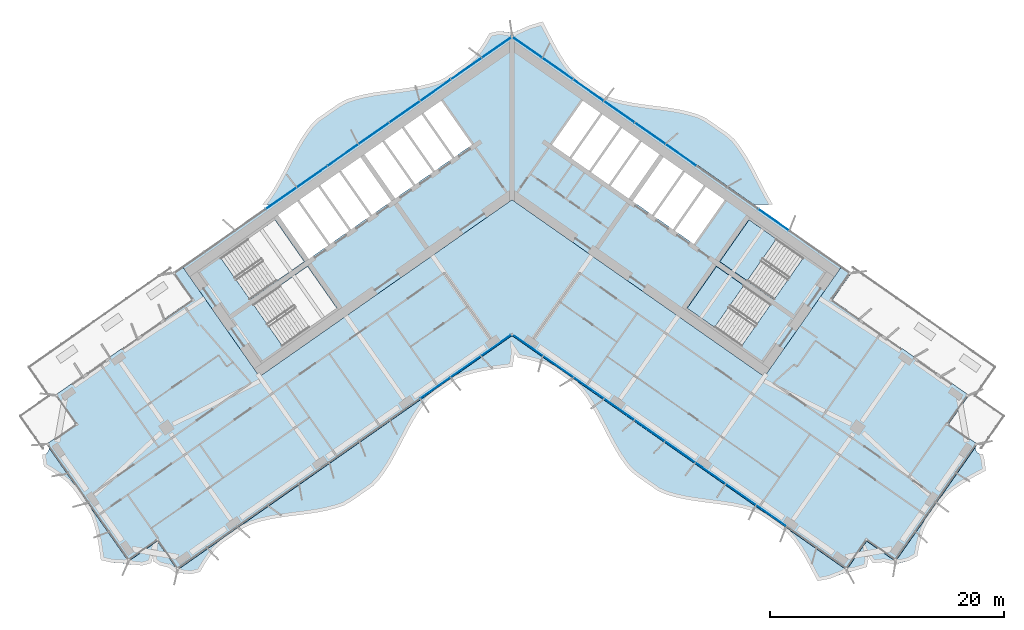
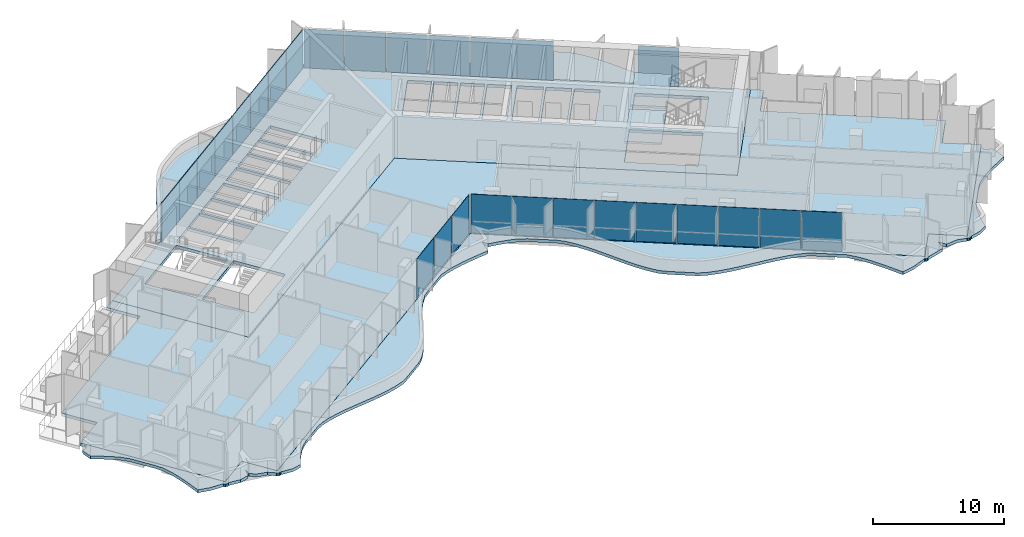
# One storey, part 11 of 24: 27 plates, 6 slabs, 4 elements without a shape of their own.
"""IFC4 building model written with IfcOpenShell, lengths in metres."""

from ifc_helpers import new_model, si_unit, direction, frame, origin, origin_2d, place, context, subcontext, project, spatial, polyline, rectangle, outline, extrude, material, layer, layer_set, type_object, element, aggregate, save


model = new_model("IFC4")

# Units and contexts
model_context = context("Model", 3, precision=1e-05, world=origin(), true_north=direction((0.0, 1.0)))
body_context = subcontext(model_context, "Body", "Model", "MODEL_VIEW")
ifc_project = project(units=[si_unit("LENGTHUNIT", "METRE"), si_unit("AREAUNIT", "SQUARE_METRE"), si_unit("VOLUMEUNIT", "CUBIC_METRE"), si_unit("PLANEANGLEUNIT", "RADIAN"), si_unit("MASSUNIT", "GRAM", prefix="KILO")], contexts=[model_context])

# Site, building, storey
site_placement = place(None, origin())
site = spatial("IfcSite", under=ifc_project, at=site_placement, CompositionType="ELEMENT")
building_placement = place(site_placement, origin())
building = spatial("IfcBuilding", under=site, at=building_placement, Name="Tel Ilan Convention Tower", CompositionType="ELEMENT")
storey_placement = place(building_placement, frame((0.0, 0.0, 132.0)))
storey = spatial("IfcBuildingStorey", under=building, at=storey_placement, Name="L29", CompositionType="ELEMENT", Elevation=132.0)

# Curtain wall, plates
ifc_material_1 = material(Name="Aluminium, bronze anodised", Category="aluminium")
curtain_wall_type_1 = type_object("IfcCurtainWallType", Name="CW4 STICK CURTAIN WALL, OFFICE TINTED GLASS", PredefinedType="NOTDEFINED", material=ifc_material_1)
curtain_wall_1_placement = place(storey_placement, origin())
curtain_wall_1 = element("IfcCurtainWall", 1, at=curtain_wall_1_placement, inside=storey, type_object=curtain_wall_type_1, Name="Curtain wall CW4-23.10", PredefinedType="NOTDEFINED")
ifc_material_2 = material(Name="Glass, bronze tinted, two-ply", Category="glass")
ifc_layer_1 = layer(ifc_material_2, 0.028076171875)
ifc_layer_set_1 = layer_set([ifc_layer_1], Name="CW GLASS PANEL 28")
plate_type_1 = type_object("IfcPlateType", Name="CW GLASS PANEL 28", PredefinedType="CURTAIN_PANEL", material=ifc_layer_set_1)
plate_1_placement = place(storey_placement, frame((-6.544921875, -17.27880859375, 0.0), z_axis=(0.0, 0.0, 1.0), x_axis=(0.819152044289, 0.573576436351, 0.0)))
plate_1 = element("IfcPlate", 2, at=plate_1_placement, type_object=plate_type_1, Name="Glass panel", PredefinedType="CURTAIN_PANEL", context=body_context, shape_type="SweptSolid", body=[
    extrude(rectangle(XDim=3.10791015625, YDim=0.028076171875, at=origin_2d()), origin(), (0.0, 0.0, 1.0), 3.6201171875),
])
plate_2_placement = place(storey_placement, frame((-3.949951171875, -15.4619140625, 0.0), z_axis=(0.0, 0.0, 1.0), x_axis=(0.819152044289, 0.573576436351, 0.0)))
plate_2 = element("IfcPlate", 3, at=plate_2_placement, type_object=plate_type_1, Name="Glass panel", PredefinedType="CURTAIN_PANEL", context=body_context, shape_type="SweptSolid", body=[
    extrude(rectangle(XDim=3.10791015625, YDim=0.028076171875, at=origin_2d()), origin(), (0.0, 0.0, 1.0), 3.6201171875),
])
plate_3_placement = place(storey_placement, frame((-1.355224609375, -13.64501953125, 0.0), z_axis=(0.0, 0.0, 1.0), x_axis=(0.819152044289, 0.573576436351, 0.0)))
plate_3 = element("IfcPlate", 4, at=plate_3_placement, type_object=plate_type_1, Name="Glass panel", PredefinedType="CURTAIN_PANEL", context=body_context, shape_type="SweptSolid", body=[
    extrude(rectangle(XDim=3.10693359375, YDim=0.028076171875, at=origin_2d()), origin(), (0.0, 0.0, 1.0), 3.6201171875),
])
plate_4_placement = place(storey_placement, frame((1.366943359375, -13.653076171875, 0.0), z_axis=(0.0, 0.0, 1.0), x_axis=(0.819152044289, -0.573576436351, 0.0)))
plate_4 = element("IfcPlate", 5, at=plate_4_placement, type_object=plate_type_1, Name="Glass panel", PredefinedType="CURTAIN_PANEL", context=body_context, shape_type="SweptSolid", body=[
    extrude(rectangle(XDim=3.078857421875, YDim=0.028076171875, at=origin_2d()), origin(), (0.0, 0.0, 1.0), 3.6201171875),
])
plate_5_placement = place(storey_placement, frame((3.949951171875, -15.4619140625, 0.0), z_axis=(0.0, 0.0, 1.0), x_axis=(0.819152044289, -0.573576436351, 0.0)))
plate_5 = element("IfcPlate", 6, at=plate_5_placement, type_object=plate_type_1, Name="Glass panel", PredefinedType="CURTAIN_PANEL", context=body_context, shape_type="SweptSolid", body=[
    extrude(rectangle(XDim=3.10791015625, YDim=0.028076171875, at=origin_2d()), origin(), (0.0, 0.0, 1.0), 3.6201171875),
])
plate_6_placement = place(storey_placement, frame((6.544921875, -17.27880859375, 0.0), z_axis=(0.0, 0.0, 1.0), x_axis=(0.819152044289, -0.573576436351, 0.0)))
plate_6 = element("IfcPlate", 7, at=plate_6_placement, type_object=plate_type_1, Name="Glass panel", PredefinedType="CURTAIN_PANEL", context=body_context, shape_type="SweptSolid", body=[
    extrude(rectangle(XDim=3.10791015625, YDim=0.028076171875, at=origin_2d()), origin(), (0.0, 0.0, 1.0), 3.6201171875),
])
plate_7_placement = place(storey_placement, frame((9.14013671875, -19.095947265625, 0.0), z_axis=(0.0, 0.0, 1.0), x_axis=(0.819152044289, -0.573576436351, 0.0)))
plate_7 = element("IfcPlate", 8, at=plate_7_placement, type_object=plate_type_1, Name="Glass panel", PredefinedType="CURTAIN_PANEL", context=body_context, shape_type="SweptSolid", body=[
    extrude(rectangle(XDim=3.10791015625, YDim=0.028076171875, at=origin_2d()), origin(), (0.0, 0.0, 1.0), 3.6201171875),
])
plate_8_placement = place(storey_placement, frame((11.735107421875, -20.9130859375, 0.0), z_axis=(0.0, 0.0, 1.0), x_axis=(0.819152044289, -0.573576436351, 0.0)))
plate_8 = element("IfcPlate", 9, at=plate_8_placement, type_object=plate_type_1, Name="Glass panel", PredefinedType="CURTAIN_PANEL", context=body_context, shape_type="SweptSolid", body=[
    extrude(rectangle(XDim=3.10791015625, YDim=0.028076171875, at=origin_2d()), origin(), (0.0, 0.0, 1.0), 3.6201171875),
])
plate_9_placement = place(storey_placement, frame((14.330078125, -22.730224609375, 0.0), z_axis=(0.0, 0.0, 1.0), x_axis=(0.819152044289, -0.573576436351, 0.0)))
plate_9 = element("IfcPlate", 10, at=plate_9_placement, type_object=plate_type_1, Name="Glass panel", PredefinedType="CURTAIN_PANEL", context=body_context, shape_type="SweptSolid", body=[
    extrude(rectangle(XDim=3.10791015625, YDim=0.028076171875, at=origin_2d()), origin(), (0.0, 0.0, 1.0), 3.6201171875),
])
plate_10_placement = place(storey_placement, frame((16.92529296875, -24.54736328125, 0.0), z_axis=(0.0, 0.0, 1.0), x_axis=(0.819152044289, -0.573576436351, 0.0)))
plate_10 = element("IfcPlate", 11, at=plate_10_placement, type_object=plate_type_1, Name="Glass panel", PredefinedType="CURTAIN_PANEL", context=body_context, shape_type="SweptSolid", body=[
    extrude(rectangle(XDim=3.10791015625, YDim=0.028076171875, at=origin_2d()), origin(), (0.0, 0.0, 1.0), 3.6201171875),
])
plate_11_placement = place(storey_placement, frame((19.520263671875, -26.3642578125, 0.0), z_axis=(0.0, 0.0, 1.0), x_axis=(0.819152044289, -0.573576436351, 0.0)))
plate_11 = element("IfcPlate", 12, at=plate_11_placement, type_object=plate_type_1, Name="Glass panel", PredefinedType="CURTAIN_PANEL", context=body_context, shape_type="SweptSolid", body=[
    extrude(rectangle(XDim=3.10791015625, YDim=0.028076171875, at=origin_2d()), origin(), (0.0, 0.0, 1.0), 3.6201171875),
])
plate_12_placement = place(storey_placement, frame((22.115478515625, -28.181396484375, 0.0), z_axis=(0.0, 0.0, 1.0), x_axis=(0.819152044289, -0.573576436351, 0.0)))
plate_12 = element("IfcPlate", 13, at=plate_12_placement, type_object=plate_type_1, Name="Glass panel", PredefinedType="CURTAIN_PANEL", context=body_context, shape_type="SweptSolid", body=[
    extrude(rectangle(XDim=3.10791015625, YDim=0.028076171875, at=origin_2d()), origin(), (0.0, 0.0, 1.0), 3.6201171875),
])
aggregate(curtain_wall_1, [plate_1, plate_2, plate_3, plate_4, plate_5, plate_6, plate_7, plate_8, plate_9, plate_10, plate_11, plate_12])

ifc_material_3 = material(Name="Aluminium, bronze anodised", Category="aluminium")
curtain_wall_type_2 = type_object("IfcCurtainWallType", Name="CW2 STICK CURTAIN WALL, SPANDREL PANELS", PredefinedType="NOTDEFINED", material=ifc_material_3)
curtain_wall_2_placement = place(storey_placement, origin())
curtain_wall_2 = element("IfcCurtainWall", 14, at=curtain_wall_2_placement, inside=storey, type_object=curtain_wall_type_2, Name="Curtain wall CW2-23.05", PredefinedType="NOTDEFINED")
ifc_material_4 = material(Name="Aluminium composite panel, bronze anodised", Category="aluminium")
ifc_layer_2 = layer(ifc_material_4, 0.06005859375)
ifc_layer_set_2 = layer_set([ifc_layer_2], Name="CW SPANDREL PANEL 60")
plate_type_2 = type_object("IfcPlateType", Name="CW SPANDREL PANEL 60", PredefinedType="CURTAIN_PANEL", material=ifc_layer_set_2)
plate_13_placement = place(storey_placement, frame((22.31982421875, -2.9326171875, 0.0), z_axis=(0.0, 0.0, 1.0), x_axis=(-0.819152044289, 0.573576436351, 0.0)))
plate_13 = element("IfcPlate", 15, at=plate_13_placement, type_object=plate_type_2, Name="Spandrel panel", PredefinedType="CURTAIN_PANEL", context=body_context, shape_type="SweptSolid", body=[
    extrude(rectangle(XDim=3.15380859375, YDim=0.06005859375, at=origin_2d()), origin(), (0.0, 0.0, 1.0), 3.6201171875),
])
plate_14_placement = place(storey_placement, frame((14.422119140625, 2.59765625, 0.0), z_axis=(0.0, 0.0, 1.0), x_axis=(-0.819152044289, 0.573576436351, 0.0)))
plate_14 = element("IfcPlate", 16, at=plate_14_placement, type_object=plate_type_2, Name="Spandrel panel", PredefinedType="CURTAIN_PANEL", context=body_context, shape_type="SweptSolid", body=[
    extrude(rectangle(XDim=3.15380859375, YDim=0.06005859375, at=origin_2d()), origin(), (0.0, 0.0, 1.0), 3.6201171875),
])
plate_15_placement = place(storey_placement, frame((11.789306640625, 4.44091796875, 0.0), z_axis=(0.0, 0.0, 1.0), x_axis=(-0.819152044289, 0.573576436351, 0.0)))
plate_15 = element("IfcPlate", 17, at=plate_15_placement, type_object=plate_type_2, Name="Spandrel panel", PredefinedType="CURTAIN_PANEL", context=body_context, shape_type="SweptSolid", body=[
    extrude(rectangle(XDim=3.15380859375, YDim=0.06005859375, at=origin_2d()), origin(), (0.0, 0.0, 1.0), 3.6201171875),
])
plate_16_placement = place(storey_placement, frame((9.15673828125, 6.284423828125, 0.0), z_axis=(0.0, 0.0, 1.0), x_axis=(-0.819152044289, 0.573576436351, 0.0)))
plate_16 = element("IfcPlate", 18, at=plate_16_placement, type_object=plate_type_2, Name="Spandrel panel", PredefinedType="CURTAIN_PANEL", context=body_context, shape_type="SweptSolid", body=[
    extrude(rectangle(XDim=3.15380859375, YDim=0.06005859375, at=origin_2d()), origin(), (0.0, 0.0, 1.0), 3.6201171875),
])
plate_17_placement = place(storey_placement, frame((6.524169921875, 8.127685546875, 0.0), z_axis=(0.0, 0.0, 1.0), x_axis=(-0.819152044289, 0.573576436351, 0.0)))
plate_17 = element("IfcPlate", 19, at=plate_17_placement, type_object=plate_type_2, Name="Spandrel panel", PredefinedType="CURTAIN_PANEL", context=body_context, shape_type="SweptSolid", body=[
    extrude(rectangle(XDim=3.15380859375, YDim=0.06005859375, at=origin_2d()), origin(), (0.0, 0.0, 1.0), 3.6201171875),
])
plate_18_placement = place(storey_placement, frame((3.8916015625, 9.97119140625, 0.0), z_axis=(0.0, 0.0, 1.0), x_axis=(-0.819152044289, 0.573576436351, 0.0)))
plate_18 = element("IfcPlate", 20, at=plate_18_placement, type_object=plate_type_2, Name="Spandrel panel", PredefinedType="CURTAIN_PANEL", context=body_context, shape_type="SweptSolid", body=[
    extrude(rectangle(XDim=3.15380859375, YDim=0.06005859375, at=origin_2d()), origin(), (0.0, 0.0, 1.0), 3.6201171875),
])
plate_19_placement = place(storey_placement, frame((1.303955078125, 11.782958984375, 0.0), z_axis=(0.0, 0.0, 1.0), x_axis=(-0.819152044289, 0.573576436351, 0.0)))
plate_19 = element("IfcPlate", 21, at=plate_19_placement, type_object=plate_type_2, Name="Spandrel panel", PredefinedType="CURTAIN_PANEL", context=body_context, shape_type="SweptSolid", body=[
    extrude(rectangle(XDim=3.0439453125, YDim=0.06005859375, at=origin_2d()), origin(), (0.0, 0.0, 1.0), 3.6201171875),
])
plate_20_placement = place(storey_placement, frame((-1.303955078125, 11.782958984375, 0.0), z_axis=(0.0, 0.0, 1.0), x_axis=(-0.819152044289, -0.573576436351, 0.0)))
plate_20 = element("IfcPlate", 22, at=plate_20_placement, type_object=plate_type_2, Name="Spandrel panel", PredefinedType="CURTAIN_PANEL", context=body_context, shape_type="SweptSolid", body=[
    extrude(rectangle(XDim=3.0439453125, YDim=0.06005859375, at=origin_2d()), origin(), (0.0, 0.0, 1.0), 3.6201171875),
])
plate_21_placement = place(storey_placement, frame((-3.8916015625, 9.97119140625, 0.0), z_axis=(0.0, 0.0, 1.0), x_axis=(-0.819152044289, -0.573576436351, 0.0)))
plate_21 = element("IfcPlate", 23, at=plate_21_placement, type_object=plate_type_2, Name="Spandrel panel", PredefinedType="CURTAIN_PANEL", context=body_context, shape_type="SweptSolid", body=[
    extrude(rectangle(XDim=3.15380859375, YDim=0.06005859375, at=origin_2d()), origin(), (0.0, 0.0, 1.0), 3.6201171875),
])
plate_22_placement = place(storey_placement, frame((-6.524169921875, 8.127685546875, 0.0), z_axis=(0.0, 0.0, 1.0), x_axis=(-0.819152044289, -0.573576436351, 0.0)))
plate_22 = element("IfcPlate", 24, at=plate_22_placement, type_object=plate_type_2, Name="Spandrel panel", PredefinedType="CURTAIN_PANEL", context=body_context, shape_type="SweptSolid", body=[
    extrude(rectangle(XDim=3.15380859375, YDim=0.06005859375, at=origin_2d()), origin(), (0.0, 0.0, 1.0), 3.6201171875),
])
plate_23_placement = place(storey_placement, frame((-9.15673828125, 6.284423828125, 0.0), z_axis=(0.0, 0.0, 1.0), x_axis=(-0.819152044289, -0.573576436351, 0.0)))
plate_23 = element("IfcPlate", 25, at=plate_23_placement, type_object=plate_type_2, Name="Spandrel panel", PredefinedType="CURTAIN_PANEL", context=body_context, shape_type="SweptSolid", body=[
    extrude(rectangle(XDim=3.15380859375, YDim=0.06005859375, at=origin_2d()), origin(), (0.0, 0.0, 1.0), 3.6201171875),
])
plate_24_placement = place(storey_placement, frame((-11.789306640625, 4.44091796875, 0.0), z_axis=(0.0, 0.0, 1.0), x_axis=(-0.819152044289, -0.573576436351, 0.0)))
plate_24 = element("IfcPlate", 26, at=plate_24_placement, type_object=plate_type_2, Name="Spandrel panel", PredefinedType="CURTAIN_PANEL", context=body_context, shape_type="SweptSolid", body=[
    extrude(rectangle(XDim=3.15380859375, YDim=0.06005859375, at=origin_2d()), origin(), (0.0, 0.0, 1.0), 3.6201171875),
])
plate_25_placement = place(storey_placement, frame((-14.422119140625, 2.59765625, 0.0), z_axis=(0.0, 0.0, 1.0), x_axis=(-0.819152044289, -0.573576436351, 0.0)))
plate_25 = element("IfcPlate", 27, at=plate_25_placement, type_object=plate_type_2, Name="Spandrel panel", PredefinedType="CURTAIN_PANEL", context=body_context, shape_type="SweptSolid", body=[
    extrude(rectangle(XDim=3.15380859375, YDim=0.06005859375, at=origin_2d()), origin(), (0.0, 0.0, 1.0), 3.6201171875),
])
plate_26_placement = place(storey_placement, frame((-17.0546875, 0.754150390625, 0.0), z_axis=(0.0, 0.0, 1.0), x_axis=(-0.819152044289, -0.573576436351, 0.0)))
plate_26 = element("IfcPlate", 28, at=plate_26_placement, type_object=plate_type_2, Name="Spandrel panel", PredefinedType="CURTAIN_PANEL", context=body_context, shape_type="SweptSolid", body=[
    extrude(rectangle(XDim=3.15380859375, YDim=0.06005859375, at=origin_2d()), origin(), (0.0, 0.0, 1.0), 3.6201171875),
])
plate_27_placement = place(storey_placement, frame((-19.687255859375, -1.089111328125, 0.0), z_axis=(0.0, 0.0, 1.0), x_axis=(-0.819152044289, -0.573576436351, 0.0)))
plate_27 = element("IfcPlate", 29, at=plate_27_placement, type_object=plate_type_2, Name="Spandrel panel", PredefinedType="CURTAIN_PANEL", context=body_context, shape_type="SweptSolid", body=[
    extrude(rectangle(XDim=3.15380859375, YDim=0.06005859375, at=origin_2d()), origin(), (0.0, 0.0, 1.0), 3.6201171875),
])
aggregate(curtain_wall_2, [plate_13, plate_14, plate_15, plate_16, plate_17, plate_18, plate_19, plate_20, plate_21, plate_22, plate_23, plate_24, plate_25, plate_26, plate_27])

# Stair, slab
ifc_material_5 = material(Name="Concrete C40/50", Category="concrete")
stair_type = type_object("IfcStairType", Name="Pressurised Exit Stair 22 risers 177 mm", PredefinedType="HALF_TURN_STAIR", material=ifc_material_5)
stair_1_placement = place(storey_placement, origin())
stair_1 = element("IfcStair", 30, at=stair_1_placement, inside=storey, type_object=stair_type, Name="L29 Pressurised Stair S3", PredefinedType="HALF_TURN_STAIR")
ifc_material_6 = material(Name="Concrete C40/50", Category="concrete")
ifc_layer_3 = layer(ifc_material_6, 0.199951171875)
ifc_layer_set_3 = layer_set([ifc_layer_3], Name="Concrete Stair Landing 200 mm C40/50")
slab_type_1 = type_object("IfcSlabType", Name="Concrete Stair Landing 200 mm", PredefinedType="LANDING", material=ifc_layer_set_3)
slab_1_placement = place(storey_placement, frame((0.0, 0.0, 1.75)))
slab_1 = element("IfcSlab", 31, at=slab_1_placement, type_object=slab_type_1, Name="S3 landing 1", PredefinedType="LANDING", context=body_context, shape_type="SweptSolid", body=[
    extrude(outline(polyline([(22.561767578125, -4.566650390625), (20.226318359375, -2.931640625), (17.7314453125, -6.494873046875), (20.066650390625, -8.130126953125), (22.561767578125, -4.566650390625)])), origin(), (0.0, 0.0, 1.0), 0.199951171875),
])
aggregate(stair_1, [slab_1])

stair_2_placement = place(storey_placement, origin())
stair_2 = element("IfcStair", 32, at=stair_2_placement, inside=storey, type_object=stair_type, Name="L29 Pressurised Stair S4", PredefinedType="HALF_TURN_STAIR")
slab_2_placement = place(storey_placement, frame((0.0, 0.0, 1.75)))
slab_2 = element("IfcSlab", 33, at=slab_2_placement, type_object=slab_type_1, Name="S4 landing 1", PredefinedType="LANDING", context=body_context, shape_type="SweptSolid", body=[
    extrude(outline(polyline([(19.77978515625, -8.53955078125), (17.444580078125, -6.904541015625), (14.949462890625, -10.4677734375), (17.28466796875, -12.10302734375), (19.77978515625, -8.53955078125)])), origin(), (0.0, 0.0, 1.0), 0.199951171875),
])
aggregate(stair_2, [slab_2])

# Slabs
ifc_material_7 = material(Name="Concrete C40/50", Category="concrete")
ifc_layer_4 = layer(ifc_material_7, 0.280029296875)
ifc_layer_set_4 = layer_set([ifc_layer_4], Name="Core Floor Slab 280 mm C40/50")
slab_type_2 = type_object("IfcSlabType", Name="Core Floor Slab 280 mm C40/50", PredefinedType="FLOOR", material=ifc_layer_set_4)
slab_3_placement = place(storey_placement, frame((0.0, 0.0, -0.280029296875)))
element("IfcSlab", 34, at=slab_3_placement, inside=storey, type_object=slab_type_2, Name="L29 core floor 1", PredefinedType="FLOOR", context=body_context, shape_type="SweptSolid", body=[
    extrude(outline(polyline([(-28.1396484375, -6.885498046875), (0.0, 12.818115234375), (28.1396484375, -6.885498046875), (21.54345703125, -16.3056640625), (0.0, -1.220703125), (-21.54345703125, -16.3056640625), (-28.1396484375, -6.885498046875)]), holes=[polyline([(-14.949462890625, -10.4677734375), (-17.444580078125, -6.904541015625), (-22.072021484375, -10.144775390625), (-19.5771484375, -13.7080078125), (-14.949462890625, -10.4677734375)]), polyline([(-17.7314453125, -6.494873046875), (-20.226318359375, -2.931640625), (-24.85400390625, -6.171875), (-22.35888671875, -9.735107421875), (-17.7314453125, -6.494873046875)]), polyline([(-18.313720703125, -1.34814453125), (-19.972412109375, -2.509521484375), (-17.333984375, -6.277587890625), (-15.67529296875, -5.1162109375), (-18.313720703125, -1.34814453125)]), polyline([(-16.531982421875, -0.1005859375), (-18.14990234375, -1.2333984375), (-15.511474609375, -5.00146484375), (-13.8935546875, -3.86865234375), (-16.531982421875, -0.1005859375)]), polyline([(-14.75048828125, 1.14697265625), (-16.368408203125, 0.01416015625), (-13.729736328125, -3.75390625), (-12.112060546875, -2.62109375), (-14.75048828125, 1.14697265625)]), polyline([(-12.927734375, 2.423095703125), (-14.586669921875, 1.26171875), (-11.947998046875, -2.506591796875), (-10.289306640625, -1.344970703125), (-12.927734375, 2.423095703125)]), polyline([(-11.053955078125, 3.735107421875), (-12.60009765625, 2.652587890625), (-9.961669921875, -1.115478515625), (-8.41552734375, -0.032958984375), (-11.053955078125, 3.735107421875)]), polyline([(-6.74658203125, 1.1357421875), (-9.385009765625, 4.90380859375), (-10.89013671875, 3.849853515625), (-8.251708984375, 0.081787109375), (-6.74658203125, 1.1357421875)]), polyline([(-5.077392578125, 2.304443359375), (-7.716064453125, 6.072509765625), (-9.22119140625, 5.0185546875), (-6.582763671875, 1.25048828125), (-5.077392578125, 2.304443359375)]), polyline([(-6.046875, 7.2412109375), (-7.552001953125, 6.187255859375), (-4.913818359375, 2.419189453125), (-3.408447265625, 3.47314453125), (-6.046875, 7.2412109375)]), polyline([(17.444580078125, -6.904541015625), (14.949462890625, -10.4677734375), (19.5771484375, -13.7080078125), (22.072021484375, -10.144775390625), (17.444580078125, -6.904541015625)]), polyline([(20.226318359375, -2.931640625), (17.7314453125, -6.494873046875), (22.35888671875, -9.735107421875), (24.85400390625, -6.171875), (20.226318359375, -2.931640625)]), polyline([(13.8935546875, -3.86865234375), (15.511474609375, -5.00146484375), (18.14990234375, -1.2333984375), (16.531982421875, -0.1005859375), (13.8935546875, -3.86865234375)]), polyline([(12.112060546875, -2.62109375), (13.729736328125, -3.75390625), (16.368408203125, 0.01416015625), (14.75048828125, 1.14697265625), (12.112060546875, -2.62109375)]), polyline([(11.947998046875, -2.506591796875), (14.586669921875, 1.26171875), (12.927734375, 2.423095703125), (10.289306640625, -1.344970703125), (11.947998046875, -2.506591796875)]), polyline([(9.961669921875, -1.115478515625), (12.60009765625, 2.652587890625), (11.053955078125, 3.735107421875), (8.41552734375, -0.032958984375), (9.961669921875, -1.115478515625)]), polyline([(8.251708984375, 0.081787109375), (10.89013671875, 3.849853515625), (9.385009765625, 4.90380859375), (6.74658203125, 1.1357421875), (8.251708984375, 0.081787109375)]), polyline([(5.077392578125, 2.304443359375), (6.582763671875, 1.25048828125), (9.22119140625, 5.0185546875), (7.716064453125, 6.072509765625), (5.077392578125, 2.304443359375)]), polyline([(3.408447265625, 3.47314453125), (4.913818359375, 2.419189453125), (7.552001953125, 6.187255859375), (6.046875, 7.2412109375), (3.408447265625, 3.47314453125)])]), origin(), (0.0, 0.0, 1.0), 0.280029296875),
])
ifc_material_8 = material(Name="Concrete C40/50", Category="concrete")
ifc_layer_5 = layer(ifc_material_8, 0.280029296875)
ifc_layer_set_5 = layer_set([ifc_layer_5], Name="Edge Ledge Slab 280 mm C40/50")
slab_type_3 = type_object("IfcSlabType", Name="Edge Ledge Slab 280 mm C40/50", PredefinedType="FLOOR", material=ifc_layer_set_5)
slab_4_placement = place(storey_placement, frame((0.0, 0.0, -0.280029296875)))
element("IfcSlab", 35, at=slab_4_placement, inside=storey, type_object=slab_type_3, Name="L29 edge ledge 1", PredefinedType="FLOOR", context=body_context, shape_type="SweptSolid", body=[
    extrude(outline(polyline([(-29.57861328125, -31.3310546875), (-28.714599609375, -32.56494140625), (-28.545654296875, -32.805908203125), (0.0, -12.818115234375), (28.545654296875, -32.805908203125), (28.712890625, -32.567138671875), (29.646240234375, -31.234130859375), (30.266357421875, -30.3486328125), (32.723876953125, -32.0693359375), (39.5419921875, -22.33203125), (39.537109375, -22.3984375), (39.53857421875, -22.447509765625), (39.544677734375, -22.49609375), (39.5556640625, -22.544189453125), (39.571044921875, -22.590576171875), (39.591064453125, -22.635498046875), (39.615478515625, -22.677978515625), (39.643798828125, -22.718017578125), (39.67578125, -22.755126953125), (39.711669921875, -22.788818359375), (39.750244140625, -22.819091796875), (39.7919921875, -22.84521484375), (39.835693359375, -22.8671875), (39.881591796875, -22.884521484375), (39.928955078125, -22.897705078125), (39.977294921875, -22.90576171875), (40.026123046875, -22.9091796875), (40.0751953125, -22.907958984375), (40.123779296875, -22.90185546875), (40.162841796875, -22.89306640625), (40.30419921875, -23.359619140625), (40.427734375, -24.322509765625), (39.717529296875, -24.701171875), (39.017333984375, -25.0869140625), (38.34619140625, -25.4931640625), (37.71533203125, -25.927490234375), (37.13330078125, -26.39599609375), (36.67431640625, -26.95068359375), (35.439208984375, -28.714111328125), (35.125244140625, -29.370361328125), (34.90087890625, -30.08935546875), (34.722900390625, -30.8408203125), (34.5771484375, -31.61474609375), (33.88818359375, -32.008544921875), (32.969482421875, -32.241455078125), (32.96484375, -32.238037109375), (32.93603515625, -32.281494140625), (32.838623046875, -32.346435546875), (32.723876953125, -32.369384765625), (32.60888671875, -32.346435546875), (32.554931640625, -32.310302734375), (32.5517578125, -32.31494140625), (31.767822265625, -32.127197265625), (30.788818359375, -32.2177734375), (30.372802734375, -31.6162109375), (30.40380859375, -31.909912109375), (30.27099609375, -32.54931640625), (29.534912109375, -32.76611328125), (28.79150390625, -32.97802734375), (28.78662109375, -32.974853515625), (28.7578125, -33.018310546875), (28.660400390625, -33.083251953125), (28.545654296875, -33.10595703125), (28.430908203125, -33.083251953125), (28.376953125, -33.047119140625), (28.37353515625, -33.0517578125), (27.125, -33.542236328125), (26.07373046875, -33.750732421875), (25.690185546875, -33.005859375), (25.30224609375, -32.267578125), (24.899169921875, -31.550537109375), (24.47216796875, -30.86767578125), (24.012939453125, -30.230712890625), (23.514892578125, -29.649658203125), (21.692626953125, -28.373779296875), (21.069091796875, -27.9716796875), (20.344970703125, -27.71337890625), (19.5830078125, -27.5087890625), (18.790283203125, -27.347900390625), (17.975341796875, -27.21923828125), (17.147216796875, -27.109619140625), (16.315673828125, -27.00439453125), (15.490966796875, -26.889404296875), (14.6826171875, -26.751220703125), (13.899658203125, -26.57666015625), (13.14990234375, -26.3544921875), (12.454345703125, -26.0556640625), (10.632080078125, -24.77978515625), (10.057373046875, -24.30810546875), (9.573486328125, -23.706298828125), (9.126220703125, -23.052490234375), (8.70849609375, -22.3564453125), (8.3115234375, -21.630615234375), (7.92626953125, -20.88818359375), (7.542724609375, -20.143310546875), (7.150634765625, -19.41064453125), (6.74072265625, -18.703369140625), (6.303955078125, -18.034423828125), (5.832763671875, -17.414794921875), (5.294189453125, -16.891357421875), (3.47216796875, -15.615478515625), (2.814697265625, -15.26171875), (2.077392578125, -15.02197265625), (1.3046875, -14.8330078125), (0.50390625, -14.683837890625), (0.201416015625, -14.223388671875), (0.2060546875, -14.40478515625), (0.04248046875, -15.464111328125), (-0.788818359375, -15.569580078125), (-1.615234375, -15.681884765625), (-2.427001953125, -15.815185546875), (-3.214599609375, -15.983154296875), (-3.97021484375, -16.19677734375), (-4.686767578125, -16.466064453125), (-6.5087890625, -17.741943359375), (-7.10009765625, -18.190185546875), (-7.59033203125, -18.782470703125), (-8.043212890625, -19.428466796875), (-8.46533203125, -20.118408203125), (-8.864990234375, -20.840087890625), (-9.25146484375, -21.580810546875), (-9.634765625, -22.326416015625), (-10.024658203125, -23.06201171875), (-10.43115234375, -23.7744140625), (-10.86279296875, -24.4501953125), (-11.327880859375, -25.078857421875), (-11.846923828125, -25.63037109375), (-13.6689453125, -26.906005859375), (-14.308837890625, -27.284912109375), (-15.039794921875, -27.53369140625), (-15.80712890625, -27.73046875), (-16.60400390625, -27.885009765625), (-17.421875, -28.009765625), (-18.251220703125, -28.117919921875), (-19.08251953125, -28.2236328125), (-19.905029296875, -28.34130859375), (-20.7099609375, -28.484619140625), (-21.48779296875, -28.666259765625), (-22.2314453125, -28.897216796875), (-22.907470703125, -29.224365234375), (-24.7294921875, -30.5), (-25.286865234375, -30.996826171875), (-25.76416015625, -31.607666015625), (-26.2060546875, -32.269287109375), (-26.6201171875, -32.970703125), (-27.396484375, -33.154296875), (-28.37353515625, -33.0517578125), (-28.376953125, -33.047119140625), (-28.430908203125, -33.083251953125), (-28.545654296875, -33.10595703125), (-28.660400390625, -33.083251953125), (-28.7578125, -33.018310546875), (-28.78662109375, -32.974853515625), (-28.79150390625, -32.97802734375), (-29.2880859375, -32.593505859375), (-30.059814453125, -32.4013671875), (-30.615234375, -32.057861328125), (-30.573974609375, -31.399658203125), (-30.788818359375, -32.2177734375), (-31.562744140625, -32.420166015625), (-32.5517578125, -32.31494140625), (-32.554931640625, -32.310302734375), (-32.60888671875, -32.346435546875), (-32.723876953125, -32.369384765625), (-32.838623046875, -32.346435546875), (-32.93603515625, -32.281494140625), (-32.96484375, -32.238037109375), (-32.969482421875, -32.241455078125), (-34.1298828125, -32.177734375), (-35.07666015625, -31.964599609375), (-35.189697265625, -31.16748046875), (-35.312744140625, -30.377685546875), (-35.46484375, -29.608154296875), (-35.656982421875, -28.86669921875), (-35.8984375, -28.15966796875), (-36.2626953125, -27.53857421875), (-37.49755859375, -25.77490234375), (-38.006591796875, -25.25537109375), (-38.60546875, -24.798583984375), (-39.250732421875, -24.374267578125), (-39.92822265625, -23.97265625), (-40.0625, -23.190673828125), (-40.038330078125, -22.949951171875), (-39.9970703125, -22.950927734375), (-39.947998046875, -22.947509765625), (-39.899658203125, -22.939208984375), (-39.852294921875, -22.92626953125), (-39.806396484375, -22.90869140625), (-39.7626953125, -22.88671875), (-39.72119140625, -22.860595703125), (-39.682373046875, -22.83056640625), (-39.646728515625, -22.796875), (-39.614501953125, -22.759765625), (-39.586181640625, -22.7197265625), (-39.56201171875, -22.67724609375), (-39.5419921875, -22.63232421875), (-39.5263671875, -22.585693359375), (-39.515380859375, -22.5380859375), (-39.509521484375, -22.4892578125), (-39.508056640625, -22.440185546875), (-39.5126953125, -22.373779296875), (-32.723876953125, -32.0693359375), (-30.266357421875, -30.3486328125), (-29.57861328125, -31.3310546875)])), origin(), (0.0, 0.0, 1.0), 0.280029296875),
])
slab_5_placement = place(storey_placement, frame((0.0, 0.0, -0.280029296875)))
element("IfcSlab", 36, at=slab_5_placement, inside=storey, type_object=slab_type_3, Name="L29 edge ledge 2", PredefinedType="FLOOR", context=body_context, shape_type="SweptSolid", body=[
    extrude(outline(polyline([(-18.83642578125, 2.481689453125), (-18.44677734375, 3.209228515625), (-18.0390625, 3.910888671875), (-17.604736328125, 4.574951171875), (-17.13671875, 5.190185546875), (-16.6015625, 5.71044921875), (-14.791748046875, 6.977783203125), (-14.1416015625, 7.33349609375), (-13.41064453125, 7.573486328125), (-12.644287109375, 7.76318359375), (-11.849853515625, 7.91259765625), (-11.03564453125, 8.033935546875), (-10.211181640625, 8.140380859375), (-9.385986328125, 8.24609375), (-8.570068359375, 8.36474609375), (-7.7724609375, 8.509765625), (-7.002197265625, 8.693603515625), (-6.26611328125, 8.926513671875), (-5.601806640625, 9.261962890625), (-3.7919921875, 10.529296875), (-3.2421875, 11.0283203125), (-2.769287109375, 11.63671875), (-2.3310546875, 12.294921875), (-1.919921875, 12.991943359375), (-1.14208984375, 13.1650390625), (-0.172119140625, 13.06396484375), (-0.168701171875, 13.05908203125), (-0.11474609375, 13.09521484375), (0.0, 13.1181640625), (0.11474609375, 13.09521484375), (0.168701171875, 13.05908203125), (0.172119140625, 13.06396484375), (1.4794921875, 13.647216796875), (2.6162109375, 13.986328125), (3.000244140625, 13.250732421875), (3.38134765625, 12.510986328125), (3.770263671875, 11.7822265625), (4.176513671875, 11.078369140625), (4.608642578125, 10.41162109375), (5.074462890625, 9.792724609375), (5.601806640625, 9.261962890625), (7.411865234375, 7.99462890625), (8.054931640625, 7.62890625), (8.783447265625, 7.385498046875), (9.547607421875, 7.19287109375), (10.340576171875, 7.041015625), (11.15380859375, 6.91845703125), (11.977783203125, 6.811279296875), (12.80322265625, 6.7060546875), (13.6201171875, 6.588623046875), (14.419189453125, 6.44580078125), (15.191650390625, 6.2646484375), (15.929931640625, 6.03515625), (16.6015625, 5.71044921875), (18.41162109375, 4.443115234375), (18.96826171875, 3.9541015625), (19.44384765625, 3.34912109375), (19.884033203125, 2.69384765625), (20.296142578125, 1.998291015625), (20.688720703125, 1.27490234375), (21.07080078125, 0.53662109375), (21.4521484375, -0.202880859375), (21.8427734375, -0.928955078125), (22.25341796875, -1.631591796875), (20.63623046875, -1.631591796875), (0.0, 12.818115234375), (-20.63623046875, -1.631591796875), (-21.30126953125, -1.631591796875), (-20.849609375, -1.0634765625), (-20.4072265625, -0.4111328125), (-19.993408203125, 0.281982421875), (-19.60009765625, 1.004150390625), (-19.217529296875, 1.741943359375), (-18.83642578125, 2.481689453125)])), origin(), (0.0, 0.0, 1.0), 0.280029296875),
])
ifc_material_9 = material(Name="Concrete C40/50", Category="concrete")
ifc_layer_6 = layer(ifc_material_9, 0.280029296875)
ifc_layer_set_6 = layer_set([ifc_layer_6], Name="Flat Plate Floor Slab 280 mm C40/50")
slab_type_4 = type_object("IfcSlabType", Name="Flat Plate Floor Slab 280 mm C40/50", PredefinedType="FLOOR", material=ifc_layer_set_6)
slab_6_placement = place(storey_placement, frame((0.0, 0.0, -0.280029296875)))
element("IfcSlab", 37, at=slab_6_placement, inside=storey, type_object=slab_type_4, Name="L29 floor slab", PredefinedType="FLOOR", context=body_context, shape_type="SweptSolid", body=[
    extrude(outline(polyline([(-37.263916015625, -20.35498046875), (-38.98486328125, -17.8974609375), (-27.352783203125, -9.752685546875), (-28.958740234375, -7.458984375), (-28.1396484375, -6.885498046875), (-21.54345703125, -16.3056640625), (0.0, -1.220703125), (21.54345703125, -16.3056640625), (28.1396484375, -6.885498046875), (28.958740234375, -7.458984375), (27.352783203125, -9.752685546875), (38.98486328125, -17.8974609375), (37.263916015625, -20.35498046875), (39.721435546875, -22.07568359375), (32.723876953125, -32.0693359375), (30.266357421875, -30.3486328125), (29.646240234375, -31.234130859375), (29.009033203125, -32.144287109375), (28.714599609375, -32.56494140625), (28.545654296875, -32.805908203125), (0.0, -12.818115234375), (-28.545654296875, -32.805908203125), (-28.714599609375, -32.56494140625), (-29.53759765625, -31.38916015625), (-29.57861328125, -31.3310546875), (-30.266357421875, -30.3486328125), (-32.723876953125, -32.0693359375), (-39.721435546875, -22.07568359375), (-37.263916015625, -20.35498046875)])), origin(), (0.0, 0.0, 1.0), 0.280029296875),
])

save(model, "model.ifc")
